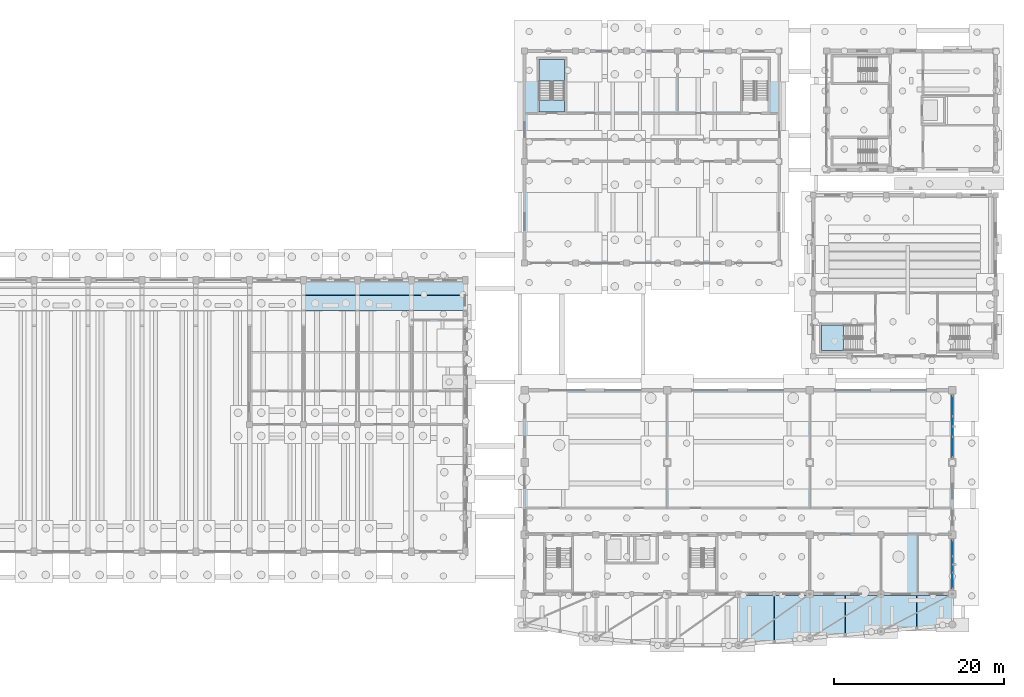
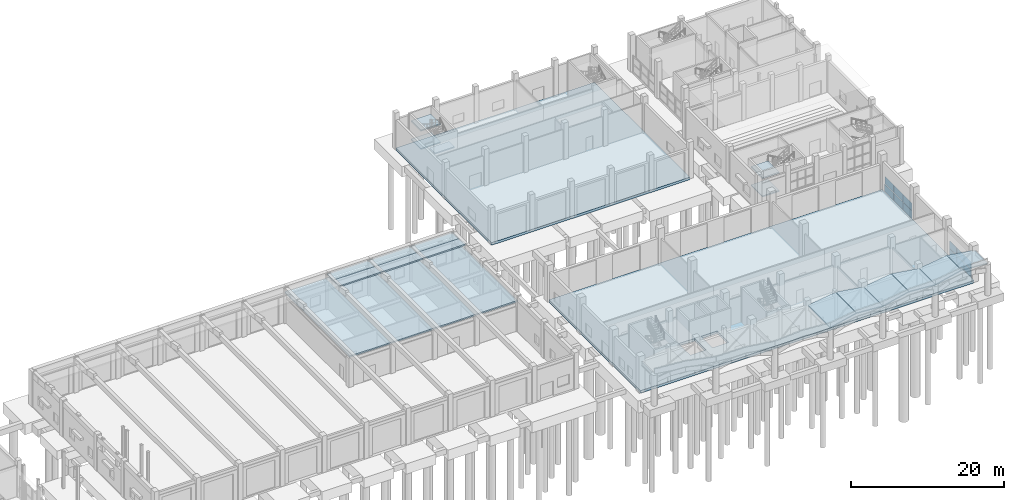
# One storey, part 26 of 60: 20 slabs, 12 plates, 4 elements without a shape of their own.
"""IFC4 building model written with IfcOpenShell, lengths in metres."""

from ifc_helpers import new_model, si_unit, direction, frame, origin, origin_2d, place, context, subcontext, project, spatial, polyline, rectangle, outline, extrude, material, layer, layer_set, type_object, element, aggregate, save


model = new_model("IFC4")

# Units and contexts
model_context = context("Model", 3, precision=1e-05, world=origin(), true_north=direction((0.0, 1.0)))
body_context = subcontext(model_context, "Body", "Model", "MODEL_VIEW")
ifc_project = project(units=[si_unit("LENGTHUNIT", "METRE"), si_unit("AREAUNIT", "SQUARE_METRE"), si_unit("VOLUMEUNIT", "CUBIC_METRE"), si_unit("PLANEANGLEUNIT", "RADIAN"), si_unit("MASSUNIT", "GRAM", prefix="KILO")], contexts=[model_context])

# Site, building, storey
site_placement = place(None, origin())
site = spatial("IfcSite", under=ifc_project, at=site_placement, CompositionType="ELEMENT")
building_placement = place(site_placement, origin())
building = spatial("IfcBuilding", under=site, at=building_placement, Name="Trellovar Central Fire Station", CompositionType="ELEMENT")
storey_placement = place(building_placement, origin())
storey = spatial("IfcBuildingStorey", under=building, at=storey_placement, Name="L01", CompositionType="ELEMENT", Elevation=0.0)

# Curtain wall, plate
ifc_material_1 = material(Name="Thermally broken bronze anodized aluminum", Category="aluminium")
ifc_layer_1 = layer(ifc_material_1, 0.159912109375)
ifc_layer_set_1 = layer_set([ifc_layer_1], Name="Thermally broken bronze anodized aluminum")
curtain_wall_type = type_object("IfcCurtainWallType", Name="CW-01", PredefinedType="NOTDEFINED", material=ifc_layer_set_1)
curtain_wall_1_placement = place(storey_placement, origin())
curtain_wall_1 = element("IfcCurtainWall", 1, at=curtain_wall_1_placement, inside=storey, type_object=curtain_wall_type, Name="L01 curtain wall CW-1", PredefinedType="NOTDEFINED")
ifc_material_2 = material(Name="Double low-E solar control insulated glazing", Category="glass")
ifc_layer_2 = layer(ifc_material_2, 0.031982421875)
ifc_layer_set_2 = layer_set([ifc_layer_2], Name="Double low-E solar control insulated glazing")
plate_type_1 = type_object("IfcPlateType", Name="CWP-GL1", PredefinedType="CURTAIN_PANEL", material=ifc_layer_set_2)
plate_1_placement = place(storey_placement, frame((155.89990234375, 14.39990234375, 1.31494140625), z_axis=(0.0, 0.0, 1.0), x_axis=(0.0, 1.0, 0.0)))
plate_1 = element("IfcPlate", 2, at=plate_1_placement, type_object=plate_type_1, Name="CW3-L01-0057 panel 3-2", PredefinedType="CURTAIN_PANEL", context=body_context, shape_type="SweptSolid", body=[
    extrude(rectangle(XDim=1.820068359375, YDim=0.031982421875, at=origin_2d()), origin(), (0.0, 0.0, 1.0), 1.195068359375),
])

# Curtain wall, plates
curtain_wall_2_placement = place(storey_placement, origin())
curtain_wall_2 = element("IfcCurtainWall", 3, at=curtain_wall_2_placement, inside=storey, type_object=curtain_wall_type, Name="L01 curtain wall CW-1", PredefinedType="NOTDEFINED")
plate_2_placement = place(storey_placement, frame((155.89990234375, 28.75, 1.31494140625), z_axis=(0.0, 0.0, 1.0), x_axis=(0.0, 1.0, 0.0)))
plate_2 = element("IfcPlate", 4, at=plate_2_placement, type_object=plate_type_1, Name="CW3-L01-0058 panel 2-2", PredefinedType="CURTAIN_PANEL", context=body_context, shape_type="SweptSolid", body=[
    extrude(rectangle(XDim=2.320068359375, YDim=0.031982421875, at=origin_2d()), origin(), (0.0, 0.0, 1.0), 1.195068359375),
])
ifc_material_3 = material(Name="Double low-E solar control insulated glazing", Category="glass")
ifc_layer_3 = layer(ifc_material_3, 0.035888671875)
ifc_layer_set_3 = layer_set([ifc_layer_3], Name="Double low-E solar control insulated glazing")
plate_type_2 = type_object("IfcPlateType", Name="CWP-GL2", PredefinedType="CURTAIN_PANEL", material=ifc_layer_set_3)
plate_3_placement = place(storey_placement, frame((155.89990234375, 31.14990234375, 1.31494140625), z_axis=(0.0, 0.0, 1.0), x_axis=(0.0, 1.0, 0.0)))
plate_3 = element("IfcPlate", 5, at=plate_3_placement, type_object=plate_type_2, Name="CW3-L01-0058 panel 3-2", PredefinedType="CURTAIN_PANEL", context=body_context, shape_type="SweptSolid", body=[
    extrude(rectangle(XDim=2.320068359375, YDim=0.035888671875, at=origin_2d()), origin(), (0.0, 0.0, 1.0), 1.195068359375),
])

# Plate
ifc_material_4 = material(Name="Double low-E solar control insulated glazing", Category="glass")
ifc_layer_4 = layer(ifc_material_4, 0.033935546875)
ifc_layer_set_4 = layer_set([ifc_layer_4], Name="Double low-E solar control insulated glazing")
plate_type_3 = type_object("IfcPlateType", Name="CWP-GL3", PredefinedType="CURTAIN_PANEL", material=ifc_layer_set_4)
plate_4_placement = place(storey_placement, frame((155.89990234375, 10.60009765625, 1.31494140625), z_axis=(0.0, 0.0, 1.0), x_axis=(0.0, 1.0, 0.0)))
plate_4 = element("IfcPlate", 6, at=plate_4_placement, type_object=plate_type_3, Name="CW3-L01-0057 panel 1-2", PredefinedType="CURTAIN_PANEL", context=body_context, shape_type="SweptSolid", body=[
    extrude(rectangle(XDim=1.820068359375, YDim=0.033935546875, at=origin_2d()), origin(), (0.0, 0.0, 1.0), 1.195068359375),
])

ifc_material_5 = material(Name="Double low-E solar control insulated glazing", Category="glass")
ifc_layer_5 = layer(ifc_material_5, 0.030029296875)
ifc_layer_set_5 = layer_set([ifc_layer_5], Name="Double low-E solar control insulated glazing")
plate_type_4 = type_object("IfcPlateType", Name="CWP-GL4", PredefinedType="CURTAIN_PANEL", material=ifc_layer_set_5)
plate_5_placement = place(storey_placement, frame((155.89990234375, 12.5, 1.31494140625), z_axis=(0.0, 0.0, 1.0), x_axis=(0.0, 1.0, 0.0)))
plate_5 = element("IfcPlate", 7, at=plate_5_placement, type_object=plate_type_4, Name="CW3-L01-0057 panel 2-2", PredefinedType="CURTAIN_PANEL", context=body_context, shape_type="SweptSolid", body=[
    extrude(rectangle(XDim=1.820068359375, YDim=0.030029296875, at=origin_2d()), origin(), (0.0, 0.0, 1.0), 1.195068359375),
])

plate_6_placement = place(storey_placement, frame((155.89990234375, 26.35009765625, 1.31494140625), z_axis=(0.0, 0.0, 1.0), x_axis=(0.0, 1.0, 0.0)))
plate_6 = element("IfcPlate", 8, at=plate_6_placement, type_object=plate_type_4, Name="CW3-L01-0058 panel 1-2", PredefinedType="CURTAIN_PANEL", context=body_context, shape_type="SweptSolid", body=[
    extrude(rectangle(XDim=2.320068359375, YDim=0.030029296875, at=origin_2d()), origin(), (0.0, 0.0, 1.0), 1.195068359375),
])

ifc_material_6 = material(Name="Glazed ceramic trencadis and terracotta panel", Category="masonry")
ifc_layer_6 = layer(ifc_material_6, 0.048095703125)
ifc_layer_set_6 = layer_set([ifc_layer_6], Name="Glazed ceramic trencadis and terracotta panel")
plate_type_5 = type_object("IfcPlateType", Name="CWP-SP1", PredefinedType="CURTAIN_PANEL", material=ifc_layer_set_6)
plate_7_placement = place(storey_placement, frame((155.89990234375, 12.5, 0.0400390625), z_axis=(0.0, 0.0, 1.0), x_axis=(0.0, 1.0, 0.0)))
plate_7 = element("IfcPlate", 9, at=plate_7_placement, type_object=plate_type_5, Name="CW3-L01-0057 panel 2-1", PredefinedType="CURTAIN_PANEL", context=body_context, shape_type="SweptSolid", body=[
    extrude(rectangle(XDim=1.820068359375, YDim=0.048095703125, at=origin_2d()), origin(), (0.0, 0.0, 1.0), 1.195068359375),
])

plate_8_placement = place(storey_placement, frame((155.89990234375, 26.35009765625, 0.0400390625), z_axis=(0.0, 0.0, 1.0), x_axis=(0.0, 1.0, 0.0)))
plate_8 = element("IfcPlate", 10, at=plate_8_placement, type_object=plate_type_5, Name="CW3-L01-0058 panel 1-1", PredefinedType="CURTAIN_PANEL", context=body_context, shape_type="SweptSolid", body=[
    extrude(rectangle(XDim=2.320068359375, YDim=0.048095703125, at=origin_2d()), origin(), (0.0, 0.0, 1.0), 1.195068359375),
])

plate_9_placement = place(storey_placement, frame((155.89990234375, 31.14990234375, 0.0400390625), z_axis=(0.0, 0.0, 1.0), x_axis=(0.0, 1.0, 0.0)))
plate_9 = element("IfcPlate", 11, at=plate_9_placement, type_object=plate_type_5, Name="CW3-L01-0058 panel 3-1", PredefinedType="CURTAIN_PANEL", context=body_context, shape_type="SweptSolid", body=[
    extrude(rectangle(XDim=2.320068359375, YDim=0.048095703125, at=origin_2d()), origin(), (0.0, 0.0, 1.0), 1.195068359375),
])

ifc_material_7 = material(Name="Glazed ceramic trencadis and terracotta panel", Category="masonry")
ifc_layer_7 = layer(ifc_material_7, 0.044921875)
ifc_layer_set_7 = layer_set([ifc_layer_7], Name="Glazed ceramic trencadis and terracotta panel")
plate_type_6 = type_object("IfcPlateType", Name="CWP-SP2", PredefinedType="CURTAIN_PANEL", material=ifc_layer_set_7)
plate_10_placement = place(storey_placement, frame((155.89990234375, 10.60009765625, 0.0400390625), z_axis=(0.0, 0.0, 1.0), x_axis=(0.0, 1.0, 0.0)))
plate_10 = element("IfcPlate", 12, at=plate_10_placement, type_object=plate_type_6, Name="CW3-L01-0057 panel 1-1", PredefinedType="CURTAIN_PANEL", context=body_context, shape_type="SweptSolid", body=[
    extrude(rectangle(XDim=1.820068359375, YDim=0.044921875, at=origin_2d()), origin(), (0.0, 0.0, 1.0), 1.195068359375),
])

plate_11_placement = place(storey_placement, frame((155.89990234375, 14.39990234375, 0.0400390625), z_axis=(0.0, 0.0, 1.0), x_axis=(0.0, 1.0, 0.0)))
plate_11 = element("IfcPlate", 13, at=plate_11_placement, type_object=plate_type_6, Name="CW3-L01-0057 panel 3-1", PredefinedType="CURTAIN_PANEL", context=body_context, shape_type="SweptSolid", body=[
    extrude(rectangle(XDim=1.820068359375, YDim=0.044921875, at=origin_2d()), origin(), (0.0, 0.0, 1.0), 1.195068359375),
])

aggregate(curtain_wall_1, [plate_10, plate_4, plate_7, plate_5, plate_11, plate_1])

plate_12_placement = place(storey_placement, frame((155.89990234375, 28.75, 0.0400390625), z_axis=(0.0, 0.0, 1.0), x_axis=(0.0, 1.0, 0.0)))
plate_12 = element("IfcPlate", 14, at=plate_12_placement, type_object=plate_type_6, Name="CW3-L01-0058 panel 2-1", PredefinedType="CURTAIN_PANEL", context=body_context, shape_type="SweptSolid", body=[
    extrude(rectangle(XDim=2.320068359375, YDim=0.044921875, at=origin_2d()), origin(), (0.0, 0.0, 1.0), 1.195068359375),
])

aggregate(curtain_wall_2, [plate_8, plate_6, plate_12, plate_2, plate_9, plate_3])

# Slabs
ifc_material_8 = material(Name="Concrete C35/45", Category="concrete")
ifc_layer_8 = layer(ifc_material_8, 0.39990234375)
ifc_layer_set_8 = layer_set([ifc_layer_8], Name="Concrete C35/45")
slab_type_1 = type_object("IfcSlabType", Name="SLB-BASE400", PredefinedType="BASESLAB", material=ifc_layer_set_8)
slab_1_placement = place(storey_placement, frame((0.0, 0.0, -0.39990234375)))
element("IfcSlab", 15, at=slab_1_placement, inside=storey, type_object=slab_type_1, Name="V5 L01 structural base slab", PredefinedType="BASESLAB", context=body_context, shape_type="SweptSolid", body=[
    extrude(outline(polyline([(105.5, 9.0), (155.89990234375, 9.0), (155.89990234375, 33.0), (105.5, 33.0), (105.5, 9.0)]), holes=[polyline([(115.199951171875, 12.800048828125), (117.60009765625, 12.800048828125), (117.60009765625, 15.800048828125), (115.199951171875, 15.800048828125), (115.199951171875, 12.800048828125)]), polyline([(118.60009765625, 12.800048828125), (121.0, 12.800048828125), (121.0, 15.800048828125), (118.60009765625, 15.800048828125), (118.60009765625, 12.800048828125)])]), origin(), (0.0, 0.0, 1.0), 0.39990234375),
])
slab_2_placement = place(storey_placement, frame((0.0, 0.0, -0.39990234375)))
element("IfcSlab", 16, at=slab_2_placement, inside=storey, type_object=slab_type_1, Name="V6 L01 structural base slab", PredefinedType="BASESLAB", context=body_context, shape_type="SweptSolid", body=[
    extrude(outline(polyline([(105.5, 48.0), (135.5, 48.0), (135.5, 73.0), (105.5, 73.0), (105.5, 48.0)])), origin(), (0.0, 0.0, 1.0), 0.39990234375),
])
ifc_material_9 = material(Name="Concrete C40/50", Category="concrete")
ifc_layer_9 = layer(ifc_material_9, 0.159912109375)
ifc_layer_set_9 = layer_set([ifc_layer_9], Name="Concrete C40/50")
slab_type_2 = type_object("IfcSlabType", Name="SLB-CAN160", PredefinedType="ROOF", material=ifc_layer_set_9)
slab_3_placement = place(storey_placement, frame((130.701904296875, 3.0, 4.9501953125), z_axis=(-0.141413249003, 0.0, 0.989950651804), x_axis=(0.98552699318, 0.094430723301, 0.140781334738)))
element("IfcSlab", 17, at=slab_3_placement, inside=storey, type_object=slab_type_2, Name="Concave boulevard Catalan canopy vault 04-W", PredefinedType="ROOF", context=body_context, shape_type="SweptSolid", body=[
    extrude(outline(polyline([(0.0, 0.0), (4.234875364406206, -5.204170427930421e-17), (4.749541249896704, 5.425840761643236), (0.5524289530605314, 5.823956115861638), (0.0, 0.0)])), origin(), (0.0, 0.0, -1.0), 0.159912109375),
])
slab_4_placement = place(storey_placement, frame((134.924560546875, 3.39990234375, 5.54638671875), z_axis=(0.141421356237, 0.0, 0.989949493661), x_axis=(0.985519969039, 0.094493227405, -0.140788567006)))
element("IfcSlab", 18, at=slab_4_placement, inside=storey, type_object=slab_type_2, Name="Concave boulevard Catalan canopy vault 04-E", PredefinedType="ROOF", context=body_context, shape_type="SweptSolid", body=[
    extrude(outline(polyline([(0.0, 0.0), (4.234657820093059, 4.336808689942018e-17), (4.711853232413741, 5.027452407025529), (0.5150065450639064, 5.425808437729654), (0.0, 0.0)])), origin(), (0.0, 0.0, -1.0), 0.159912109375),
])
slab_5_placement = place(storey_placement, frame((139.10205078125, 3.800048828125, 4.9501953125), z_axis=(-0.141421356237, 0.0, 0.989949493661), x_axis=(0.985525336376, 0.094436088744, 0.140789333768)))
element("IfcSlab", 19, at=slab_5_placement, inside=storey, type_object=slab_type_2, Name="Concave boulevard Catalan canopy vault 05-W", PredefinedType="ROOF", context=body_context, shape_type="SweptSolid", body=[
    extrude(outline(polyline([(0.0, 0.0), (4.234634757432379, 8.673617379884035e-18), (4.673776403501976, 4.629364636840833), (0.4769068592927824, 5.027479787528358), (0.0, 0.0)])), origin(), (0.0, 0.0, -1.0), 0.159912109375),
])
slab_6_placement = place(storey_placement, frame((143.32470703125, 4.199951171875, 5.54638671875), z_axis=(0.141421356237, 0.0, 0.989949493661), x_axis=(0.985519969039, 0.094493227405, -0.140788567006)))
element("IfcSlab", 20, at=slab_6_placement, inside=storey, type_object=slab_type_2, Name="Concave boulevard Catalan canopy vault 05-E", PredefinedType="ROOF", context=body_context, shape_type="SweptSolid", body=[
    extrude(outline(polyline([(0.0, 0.0), (4.234657820093059, 4.163336342344337e-17), (4.636254036562889, 4.230983393836134), (0.43940734921305435, 4.629339424540259), (0.0, 0.0)])), origin(), (0.0, 0.0, -1.0), 0.159912109375),
])
slab_7_placement = place(storey_placement, frame((147.501953125, 4.60009765625, 4.9501953125), z_axis=(-0.141421356237, 0.0, 0.989949493661), x_axis=(0.985525336376, 0.094436088744, 0.140789333768)))
element("IfcSlab", 21, at=slab_7_placement, inside=storey, type_object=slab_type_2, Name="Concave boulevard Catalan canopy vault 06-W", PredefinedType="ROOF", context=body_context, shape_type="SweptSolid", body=[
    extrude(outline(polyline([(0.0, 0.0), (4.234634757432379, -4.683753385137379e-17), (4.598222921369878, 3.8328912859232394), (0.40135337716068437, 4.231006436610764), (0.0, 0.0)])), origin(), (0.0, 0.0, -1.0), 0.159912109375),
])
slab_8_placement = place(storey_placement, frame((151.724609375, 5.0, 5.54638671875), z_axis=(0.141421356237, 0.0, 0.989949493661), x_axis=(0.985525336376, 0.094436088744, -0.140789333768)))
element("IfcSlab", 22, at=slab_8_placement, inside=storey, type_object=slab_type_2, Name="Concave boulevard Catalan canopy vault 06-E", PredefinedType="ROOF", context=body_context, shape_type="SweptSolid", body=[
    extrude(outline(polyline([(0.0, 0.0), (4.234634757432379, -4.683753385137379e-17), (4.560457708146693, 3.4347761352357145), (0.3635881639374996, 3.8328912859232394), (0.0, 0.0)])), origin(), (0.0, 0.0, -1.0), 0.159912109375),
])
ifc_material_10 = material(Name="Concrete C40/50", Category="concrete")
ifc_layer_10 = layer(ifc_material_10, 0.219970703125)
ifc_layer_set_10 = layer_set([ifc_layer_10], Name="Concrete C40/50")
slab_type_3 = type_object("IfcSlabType", Name="SLB-FL220", PredefinedType="FLOOR", material=ifc_layer_set_10)
slab_9_placement = place(storey_placement, frame((0.0, 0.0, 4.550048828125)))
element("IfcSlab", 23, at=slab_9_placement, inside=storey, type_object=slab_type_3, Name="V1 concave north tail watch kitchen and decon protective concrete lid", PredefinedType="FLOOR", context=body_context, shape_type="SweptSolid", body=[
    extrude(outline(polyline([(73.10009765625, 29.0), (98.5, 29.0), (98.5, 46.0), (73.10009765625, 46.0), (73.10009765625, 29.0)])), origin(), (0.0, 0.0, 1.0), 0.219970703125),
])

# Stair, slabs
ifc_material_11 = material(Name="Concrete C40/50", Category="concrete")
stair_type = type_object("IfcStairType", Name="ST-R1625", PredefinedType="HALF_TURN_STAIR", material=ifc_material_11)
stair_1_placement = place(storey_placement, origin())
stair_1 = element("IfcStair", 24, at=stair_1_placement, inside=storey, type_object=stair_type, Name="L01 Protected exit stair ST-07", PredefinedType="HALF_TURN_STAIR")
ifc_material_12 = material(Name="Concrete C40/50", Category="concrete")
ifc_layer_11 = layer(ifc_material_12, 0.199951171875)
ifc_layer_set_11 = layer_set([ifc_layer_11], Name="Concrete C40/50")
slab_type_4 = type_object("IfcSlabType", Name="SLB-LND", PredefinedType="LANDING", material=ifc_layer_set_11)
slab_10_placement = place(storey_placement, frame((0.0, 0.0, 1.262451171875)))
slab_10 = element("IfcSlab", 25, at=slab_10_placement, type_object=slab_type_4, Name="ST-07 landing 1", PredefinedType="LANDING", context=body_context, shape_type="SweptSolid", body=[
    extrude(outline(polyline([(110.199951171875, 69.43994140625), (110.199951171875, 72.0), (107.199951171875, 72.0), (107.199951171875, 69.43994140625), (110.199951171875, 69.43994140625)])), origin(), (0.0, 0.0, 1.0), 0.199951171875),
])
slab_11_placement = place(storey_placement, frame((0.0, 0.0, 2.72509765625)))
slab_11 = element("IfcSlab", 26, at=slab_11_placement, type_object=slab_type_4, Name="ST-07 landing 2", PredefinedType="LANDING", context=body_context, shape_type="SweptSolid", body=[
    extrude(outline(polyline([(110.199951171875, 65.800048828125), (110.199951171875, 67.199951171875), (107.199951171875, 67.199951171875), (107.199951171875, 65.800048828125), (110.199951171875, 65.800048828125)])), origin(), (0.0, 0.0, 1.0), 0.199951171875),
])
slab_12_placement = place(storey_placement, frame((0.0, 0.0, 4.1875)))
slab_12 = element("IfcSlab", 27, at=slab_12_placement, type_object=slab_type_4, Name="ST-07 landing 3", PredefinedType="LANDING", context=body_context, shape_type="SweptSolid", body=[
    extrude(outline(polyline([(110.199951171875, 69.43994140625), (110.199951171875, 72.0), (107.199951171875, 72.0), (107.199951171875, 69.43994140625), (110.199951171875, 69.43994140625)])), origin(), (0.0, 0.0, 1.0), 0.199951171875),
])
aggregate(stair_1, [slab_10, slab_11, slab_12])

stair_2_placement = place(storey_placement, origin())
stair_2 = element("IfcStair", 28, at=stair_2_placement, inside=storey, type_object=stair_type, Name="L01 Protected exit stair ST-09", PredefinedType="HALF_TURN_STAIR")
slab_13_placement = place(storey_placement, frame((0.0, 0.0, 1.262451171875)))
slab_13 = element("IfcSlab", 29, at=slab_13_placement, type_object=slab_type_4, Name="ST-09 landing 1", PredefinedType="LANDING", context=body_context, shape_type="SweptSolid", body=[
    extrude(outline(polyline([(143.06005859375, 40.699951171875), (140.5, 40.699951171875), (140.5, 37.699951171875), (143.06005859375, 37.699951171875), (143.06005859375, 40.699951171875)])), origin(), (0.0, 0.0, 1.0), 0.199951171875),
])
slab_14_placement = place(storey_placement, frame((0.0, 0.0, 4.1875)))
slab_14 = element("IfcSlab", 30, at=slab_14_placement, type_object=slab_type_4, Name="ST-09 landing 3", PredefinedType="LANDING", context=body_context, shape_type="SweptSolid", body=[
    extrude(outline(polyline([(143.06005859375, 40.699951171875), (140.5, 40.699951171875), (140.5, 37.699951171875), (143.06005859375, 37.699951171875), (143.06005859375, 40.699951171875)])), origin(), (0.0, 0.0, 1.0), 0.199951171875),
])
aggregate(stair_2, [slab_13, slab_14])

# Slabs
ifc_material_13 = material(Name="Concrete C40/50", Category="concrete")
ifc_layer_12 = layer(ifc_material_13, 0.179931640625)
ifc_layer_set_12 = layer_set([ifc_layer_12], Name="Concrete C40/50")
slab_type_5 = type_object("IfcSlabType", Name="SLB-VLT180", PredefinedType="ROOF", material=ifc_layer_set_12)
slab_15_placement = place(storey_placement, frame((79.449951171875, 42.43505859375, 5.66162109375), z_axis=(0.0, 0.109979981999, 0.993933802403), x_axis=(1.0, 0.0, 0.0)))
element("IfcSlab", 31, at=slab_15_placement, inside=storey, type_object=slab_type_5, Name="Catalan ski-jump vault strip V1-08-17", PredefinedType="ROOF", context=body_context, shape_type="SweptSolid", body=[
    extrude(outline(polyline([(0.0, 0.0), (6.35009765625, 0.0), (6.35009765625, 1.7803310901808889), (0.0, 1.7803310901808889), (0.0, 0.0)])), origin(), (0.0, 0.0, -1.0), 0.179931640625),
])
slab_16_placement = place(storey_placement, frame((79.449951171875, 44.21533203125, 5.46533203125), z_axis=(0.0, 0.036540904714, 0.999332158135), x_axis=(1.0, 0.0, 0.0)))
element("IfcSlab", 32, at=slab_16_placement, inside=storey, type_object=slab_type_5, Name="Catalan ski-jump vault strip V1-08-18", PredefinedType="ROOF", context=body_context, shape_type="SweptSolid", body=[
    extrude(outline(polyline([(0.0, 0.0), (6.35009765625, 0.0), (6.35009765625, 1.78390621100101), (0.0, 1.78390621100101), (0.0, 0.0)])), origin(), (0.0, 0.0, -1.0), 0.179931640625),
])
slab_17_placement = place(storey_placement, frame((85.800048828125, 42.43505859375, 5.66162109375), z_axis=(0.0, 0.109979981999, 0.993933802403), x_axis=(1.0, 0.0, 0.0)))
element("IfcSlab", 33, at=slab_17_placement, inside=storey, type_object=slab_type_5, Name="Catalan ski-jump vault strip V1-09-17", PredefinedType="ROOF", context=body_context, shape_type="SweptSolid", body=[
    extrude(outline(polyline([(0.0, 0.0), (6.349853515625, 0.0), (6.349853515625, 1.7803310901808893), (0.0, 1.7803310901808893), (0.0, 0.0)])), origin(), (0.0, 0.0, -1.0), 0.179931640625),
])
slab_18_placement = place(storey_placement, frame((85.800048828125, 44.21533203125, 5.46533203125), z_axis=(0.0, 0.036540904714, 0.999332158135), x_axis=(1.0, 0.0, 0.0)))
element("IfcSlab", 34, at=slab_18_placement, inside=storey, type_object=slab_type_5, Name="Catalan ski-jump vault strip V1-09-18", PredefinedType="ROOF", context=body_context, shape_type="SweptSolid", body=[
    extrude(outline(polyline([(0.0, 0.0), (6.349853515625, 0.0), (6.349853515625, 1.78390621100101), (0.0, 1.78390621100101), (0.0, 0.0)])), origin(), (0.0, 0.0, -1.0), 0.179931640625),
])
slab_19_placement = place(storey_placement, frame((92.14990234375, 42.43505859375, 5.66162109375), z_axis=(0.0, 0.109979981999, 0.993933802403), x_axis=(1.0, 0.0, 0.0)))
element("IfcSlab", 35, at=slab_19_placement, inside=storey, type_object=slab_type_5, Name="Catalan ski-jump vault strip V1-10-17", PredefinedType="ROOF", context=body_context, shape_type="SweptSolid", body=[
    extrude(outline(polyline([(0.0, 0.0), (6.35009765625, 0.0), (6.35009765625, 1.7803310901808889), (0.0, 1.7803310901808889), (0.0, 0.0)])), origin(), (0.0, 0.0, -1.0), 0.179931640625),
])
slab_20_placement = place(storey_placement, frame((92.14990234375, 44.21533203125, 5.46533203125), z_axis=(0.0, 0.036540904714, 0.999332158135), x_axis=(1.0, 0.0, 0.0)))
element("IfcSlab", 36, at=slab_20_placement, inside=storey, type_object=slab_type_5, Name="Catalan ski-jump vault strip V1-10-18", PredefinedType="ROOF", context=body_context, shape_type="SweptSolid", body=[
    extrude(outline(polyline([(0.0, 0.0), (6.35009765625, 0.0), (6.35009765625, 1.78390621100101), (0.0, 1.78390621100101), (0.0, 0.0)])), origin(), (0.0, 0.0, -1.0), 0.179931640625),
])

save(model, "model.ifc")
